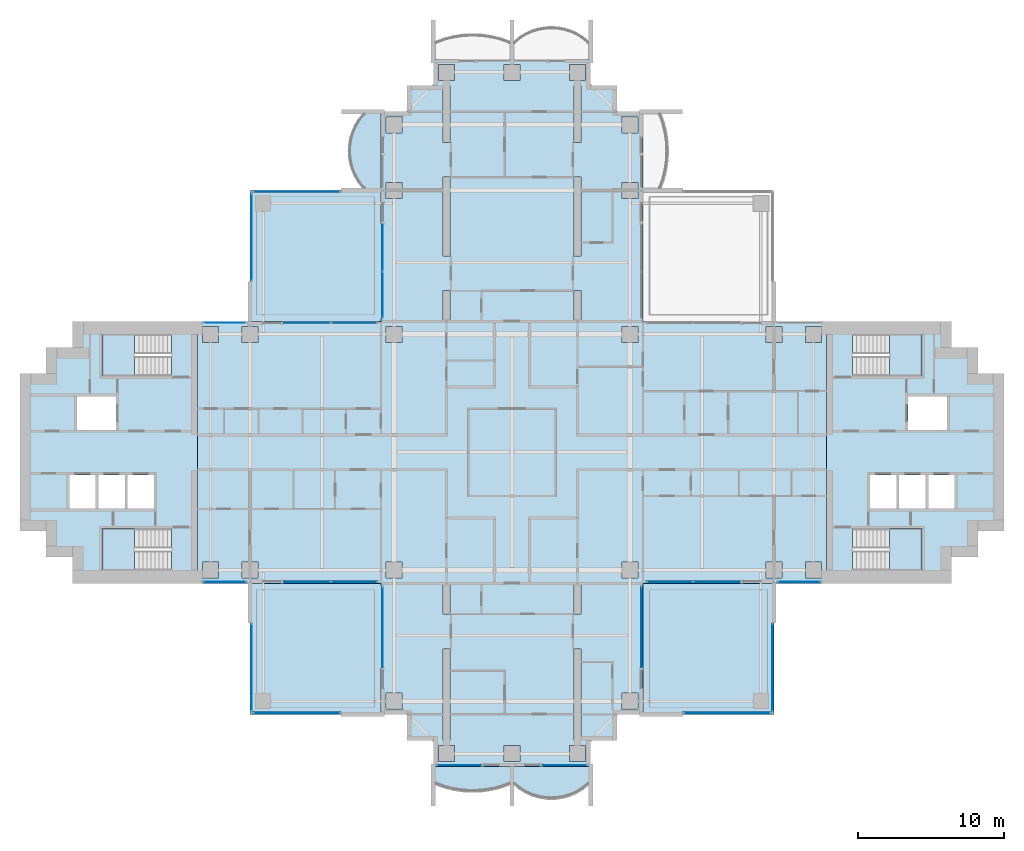
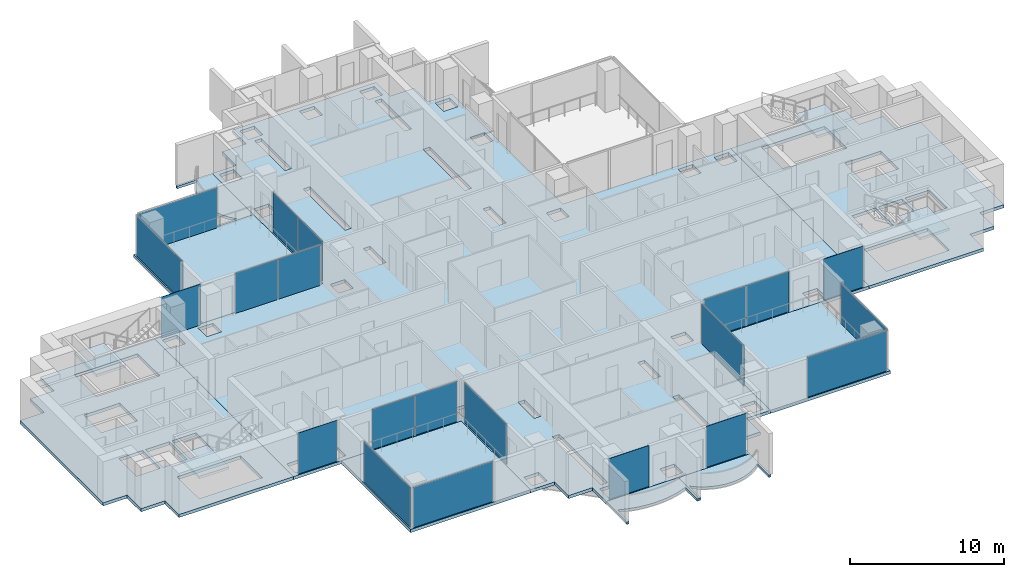
# One storey, part 7 of 18: 21 plates, 13 slabs, 21 elements without a shape of their own.
"""IFC4 building model written with IfcOpenShell, lengths in metres."""

from ifc_helpers import new_model, si_unit, direction, frame, origin, origin_2d, place, context, subcontext, project, spatial, polyline, rectangle, outline, extrude, material, layer, layer_set, type_object, element, aggregate, save


model = new_model("IFC4")

# Units and contexts
model_context = context("Model", 3, precision=1e-05, world=origin(), true_north=direction((0.0, 1.0)))
body_context = subcontext(model_context, "Body", "Model", "MODEL_VIEW")
ifc_project = project(units=[si_unit("LENGTHUNIT", "METRE"), si_unit("AREAUNIT", "SQUARE_METRE"), si_unit("VOLUMEUNIT", "CUBIC_METRE"), si_unit("PLANEANGLEUNIT", "RADIAN"), si_unit("MASSUNIT", "GRAM", prefix="KILO")], contexts=[model_context])

# Site, building, storey
site_placement = place(None, origin())
site = spatial("IfcSite", under=ifc_project, at=site_placement, CompositionType="ELEMENT")
building_placement = place(site_placement, origin())
building = spatial("IfcBuilding", under=site, at=building_placement, Name="Perihelion Cross Residences", CompositionType="ELEMENT")
storey_placement = place(building_placement, frame((0.0, 0.0, 130.39990234375)))
storey = spatial("IfcBuildingStorey", under=building, at=storey_placement, Name="L31", CompositionType="ELEMENT", Elevation=130.39990234375)

# Slabs
ifc_material_1 = material(Name="Concrete C40/50", Category="concrete")
ifc_layer_1 = layer(ifc_material_1, 0.199951171875)
ifc_layer_set_1 = layer_set([ifc_layer_1], Name="Balcony slab 200")
slab_type_1 = type_object("IfcSlabType", Name="Balcony slab 200", PredefinedType="FLOOR", material=ifc_layer_set_1)
slab_1_placement = place(storey_placement, frame((0.0, 0.0, -0.199951171875)))
element("IfcSlab", 1, at=slab_1_placement, inside=storey, type_object=slab_type_1, Name="Slab BK1 L31 north side west bay 1 balcony", PredefinedType="FLOOR", context=body_context, shape_type="SweptSolid", body=[
    extrude(outline(polyline([(-9.0, 23.39990234375), (-9.0, 18.0), (-11.699951171875, 18.0), (-11.699951171875, 18.14990234375), (-10.199951171875, 18.14990234375), (-10.5400390625, 18.574951171875), (-10.792724609375, 19.0), (-10.9765625, 19.425048828125), (-11.1025390625, 19.85009765625), (-11.17578125, 20.27490234375), (-11.199951171875, 20.699951171875), (-11.17578125, 21.125), (-11.1025390625, 21.550048828125), (-10.9765625, 21.97509765625), (-10.792724609375, 22.39990234375), (-10.5400390625, 22.824951171875), (-10.199951171875, 23.25), (-11.699951171875, 23.25), (-11.699951171875, 23.39990234375), (-9.0, 23.39990234375)])), origin(), (0.0, 0.0, 1.0), 0.199951171875),
])
slab_2_placement = place(storey_placement, frame((0.0, 0.0, -0.199951171875)))
element("IfcSlab", 2, at=slab_2_placement, inside=storey, type_object=slab_type_1, Name="Slab BK1 L31 south tip south bay 1 balcony", PredefinedType="FLOOR", context=body_context, shape_type="SweptSolid", body=[
    extrude(outline(polyline([(-5.39990234375, -21.60009765625), (0.0, -21.60009765625), (0.0, -24.300048828125), (-0.14990234375, -24.300048828125), (-0.14990234375, -22.800048828125), (-0.78759765625, -23.0234375), (-1.425048828125, -23.178466796875), (-2.0625, -23.269775390625), (-2.699951171875, -23.300048828125), (-3.33740234375, -23.269775390625), (-3.97509765625, -23.178466796875), (-4.612548828125, -23.0234375), (-5.25, -22.800048828125), (-5.25, -24.300048828125), (-5.39990234375, -24.300048828125), (-5.39990234375, -21.60009765625)])), origin(), (0.0, 0.0, 1.0), 0.199951171875),
])
slab_3_placement = place(storey_placement, frame((0.0, 0.0, -0.199951171875)))
element("IfcSlab", 3, at=slab_3_placement, inside=storey, type_object=slab_type_1, Name="Slab BK1 L31 south tip south bay 2 balcony", PredefinedType="FLOOR", context=body_context, shape_type="SweptSolid", body=[
    extrude(outline(polyline([(0.0, -21.60009765625), (5.39990234375, -21.60009765625), (5.39990234375, -24.300048828125), (5.25, -24.300048828125), (5.25, -22.800048828125), (4.824951171875, -23.14013671875), (4.39990234375, -23.392578125), (3.97509765625, -23.57666015625), (3.550048828125, -23.702392578125), (3.125, -23.77587890625), (2.699951171875, -23.800048828125), (2.27490234375, -23.77587890625), (1.85009765625, -23.702392578125), (1.425048828125, -23.57666015625), (1.0, -23.392578125), (0.574951171875, -23.14013671875), (0.14990234375, -22.800048828125), (0.14990234375, -24.300048828125), (0.0, -24.300048828125), (0.0, -21.60009765625)])), origin(), (0.0, 0.0, 1.0), 0.199951171875),
])

# Curtain wall, plates
ifc_material_2 = material(Name="Bronze anodised aluminium, tinted glazing", Category="aluminium")
curtain_wall_type_1 = type_object("IfcCurtainWallType", Name="CW1", PredefinedType="NOTDEFINED", material=ifc_material_2)
curtain_wall_1_placement = place(storey_placement, origin())
curtain_wall_1 = element("IfcCurtainWall", 4, at=curtain_wall_1_placement, inside=storey, type_object=curtain_wall_type_1, Name="Curtain wall CW1 L31 north side west bay 2", PredefinedType="NOTDEFINED")
ifc_material_3 = material(Name="Tinted laminated glass", Category="glass")
ifc_layer_2 = layer(ifc_material_3, 0.028076171875)
ifc_layer_set_2 = layer_set([ifc_layer_2], Name="CW1 panel")
plate_type_1 = type_object("IfcPlateType", Name="CW1 panel", PredefinedType="CURTAIN_PANEL", material=ifc_layer_set_2)
plate_1_placement = place(storey_placement, frame((-8.89990234375, 14.052490234375, 0.000244140625), z_axis=(0.0, 0.0, 1.0), x_axis=(0.0, -1.0, 0.0)))
plate_1 = element("IfcPlate", 5, at=plate_1_placement, type_object=plate_type_1, Name="CW1 panel 1", PredefinedType="CURTAIN_PANEL", context=body_context, shape_type="SweptSolid", body=[
    extrude(rectangle(XDim=3.195068359375, YDim=0.028076171875, at=origin_2d()), origin(), (0.0, 0.0, 1.0), 3.18994140625),
])
plate_2_placement = place(storey_placement, frame((-8.89990234375, 10.827392578125, 0.000244140625), z_axis=(0.0, 0.0, 1.0), x_axis=(0.0, -1.0, 0.0)))
plate_2 = element("IfcPlate", 6, at=plate_2_placement, type_object=plate_type_1, Name="CW1 panel 2", PredefinedType="CURTAIN_PANEL", context=body_context, shape_type="SweptSolid", body=[
    extrude(rectangle(XDim=3.135009765625, YDim=0.028076171875, at=origin_2d()), origin(), (0.0, 0.0, 1.0), 3.18994140625),
])
aggregate(curtain_wall_1, [plate_1, plate_2])

curtain_wall_2_placement = place(storey_placement, origin())
curtain_wall_2 = element("IfcCurtainWall", 7, at=curtain_wall_2_placement, inside=storey, type_object=curtain_wall_type_1, Name="Curtain wall CW1 L31 west side north bay 1", PredefinedType="NOTDEFINED")
plate_3_placement = place(storey_placement, frame((-10.827392578125, 8.89990234375, 0.000244140625), z_axis=(0.0, 0.0, 1.0), x_axis=(-1.0, 0.0, 0.0)))
plate_3 = element("IfcPlate", 8, at=plate_3_placement, type_object=plate_type_1, Name="CW1 panel 1", PredefinedType="CURTAIN_PANEL", context=body_context, shape_type="SweptSolid", body=[
    extrude(rectangle(XDim=3.135009765625, YDim=0.028076171875, at=origin_2d()), origin(), (0.0, 0.0, 1.0), 3.18994140625),
])
plate_4_placement = place(storey_placement, frame((-14.052490234375, 8.89990234375, 0.000244140625), z_axis=(0.0, 0.0, 1.0), x_axis=(-1.0, 0.0, 0.0)))
plate_4 = element("IfcPlate", 9, at=plate_4_placement, type_object=plate_type_1, Name="CW1 panel 2", PredefinedType="CURTAIN_PANEL", context=body_context, shape_type="SweptSolid", body=[
    extrude(rectangle(XDim=3.195068359375, YDim=0.028076171875, at=origin_2d()), origin(), (0.0, 0.0, 1.0), 3.18994140625),
])
aggregate(curtain_wall_2, [plate_3, plate_4])

# Curtain wall, plate
curtain_wall_3_placement = place(storey_placement, origin())
curtain_wall_3 = element("IfcCurtainWall", 10, at=curtain_wall_3_placement, inside=storey, type_object=curtain_wall_type_1, Name="Curtain wall CW1 L31 west side north bay 2", PredefinedType="NOTDEFINED")
plate_5_placement = place(storey_placement, frame((-19.72509765625, 8.89990234375, 0.0), z_axis=(0.0, 0.0, 1.0), x_axis=(-1.0, 0.0, 0.0)))
plate_5 = element("IfcPlate", 11, at=plate_5_placement, type_object=plate_type_1, Name="CW1 panel 1", PredefinedType="CURTAIN_PANEL", context=body_context, shape_type="SweptSolid", body=[
    extrude(rectangle(XDim=2.929931640625, YDim=0.028076171875, at=origin_2d()), origin(), (0.0, 0.0, 1.0), 3.25),
])
aggregate(curtain_wall_3, [plate_5])

curtain_wall_4_placement = place(storey_placement, origin())
curtain_wall_4 = element("IfcCurtainWall", 12, at=curtain_wall_4_placement, inside=storey, type_object=curtain_wall_type_1, Name="Curtain wall CW1 L31 west side south bay 1", PredefinedType="NOTDEFINED")
plate_6_placement = place(storey_placement, frame((-19.72509765625, -8.89990234375, 0.0), z_axis=(0.0, 0.0, 1.0), x_axis=(1.0, 0.0, 0.0)))
plate_6 = element("IfcPlate", 13, at=plate_6_placement, type_object=plate_type_1, Name="CW1 panel 1", PredefinedType="CURTAIN_PANEL", context=body_context, shape_type="SweptSolid", body=[
    extrude(rectangle(XDim=2.929931640625, YDim=0.028076171875, at=origin_2d()), origin(), (0.0, 0.0, 1.0), 3.25),
])
aggregate(curtain_wall_4, [plate_6])

# Curtain wall, plates
curtain_wall_5_placement = place(storey_placement, origin())
curtain_wall_5 = element("IfcCurtainWall", 14, at=curtain_wall_5_placement, inside=storey, type_object=curtain_wall_type_1, Name="Curtain wall CW1 L31 west side south bay 2", PredefinedType="NOTDEFINED")
plate_7_placement = place(storey_placement, frame((-14.052490234375, -8.89990234375, 0.000244140625), z_axis=(0.0, 0.0, 1.0), x_axis=(1.0, 0.0, 0.0)))
plate_7 = element("IfcPlate", 15, at=plate_7_placement, type_object=plate_type_1, Name="CW1 panel 1", PredefinedType="CURTAIN_PANEL", context=body_context, shape_type="SweptSolid", body=[
    extrude(rectangle(XDim=3.195068359375, YDim=0.028076171875, at=origin_2d()), origin(), (0.0, 0.0, 1.0), 3.18994140625),
])
plate_8_placement = place(storey_placement, frame((-10.827392578125, -8.89990234375, 0.000244140625), z_axis=(0.0, 0.0, 1.0), x_axis=(1.0, 0.0, 0.0)))
plate_8 = element("IfcPlate", 16, at=plate_8_placement, type_object=plate_type_1, Name="CW1 panel 2", PredefinedType="CURTAIN_PANEL", context=body_context, shape_type="SweptSolid", body=[
    extrude(rectangle(XDim=3.135009765625, YDim=0.028076171875, at=origin_2d()), origin(), (0.0, 0.0, 1.0), 3.18994140625),
])
aggregate(curtain_wall_5, [plate_7, plate_8])

# Curtain wall, plate
curtain_wall_6_placement = place(storey_placement, origin())
curtain_wall_6 = element("IfcCurtainWall", 17, at=curtain_wall_6_placement, inside=storey, type_object=curtain_wall_type_1, Name="Curtain wall CW1 L31 south side west bay 1", PredefinedType="NOTDEFINED")
plate_9_placement = place(storey_placement, frame((-8.89990234375, -12.0048828125, 0.000244140625), z_axis=(0.0, 0.0, 1.0), x_axis=(0.0, -1.0, 0.0)))
plate_9 = element("IfcPlate", 18, at=plate_9_placement, type_object=plate_type_1, Name="CW1 panel 1", PredefinedType="CURTAIN_PANEL", context=body_context, shape_type="SweptSolid", body=[
    extrude(rectangle(XDim=5.489990234375, YDim=0.028076171875, at=origin_2d()), origin(), (0.0, 0.0, 1.0), 3.18994140625),
])
aggregate(curtain_wall_6, [plate_9])

curtain_wall_7_placement = place(storey_placement, origin())
curtain_wall_7 = element("IfcCurtainWall", 19, at=curtain_wall_7_placement, inside=storey, type_object=curtain_wall_type_1, Name="Curtain wall CW1 L31 south tip south bay 1", PredefinedType="NOTDEFINED")
plate_10_placement = place(storey_placement, frame((-3.64501953125, -21.5, 0.0), z_axis=(0.0, 0.0, 1.0), x_axis=(1.0, 0.0, 0.0)))
plate_10 = element("IfcPlate", 20, at=plate_10_placement, type_object=plate_type_1, Name="CW1 panel 1", PredefinedType="CURTAIN_PANEL", context=body_context, shape_type="SweptSolid", body=[
    extrude(rectangle(XDim=2.989990234375, YDim=0.028076171875, at=origin_2d()), origin(), (0.0, 0.0, 1.0), 3.25),
])
aggregate(curtain_wall_7, [plate_10])

curtain_wall_8_placement = place(storey_placement, origin())
curtain_wall_8 = element("IfcCurtainWall", 21, at=curtain_wall_8_placement, inside=storey, type_object=curtain_wall_type_1, Name="Curtain wall CW1 L31 south tip south bay 2", PredefinedType="NOTDEFINED")
plate_11_placement = place(storey_placement, frame((3.64501953125, -21.5, 0.0), z_axis=(0.0, 0.0, 1.0), x_axis=(1.0, 0.0, 0.0)))
plate_11 = element("IfcPlate", 22, at=plate_11_placement, type_object=plate_type_1, Name="CW1 panel 1", PredefinedType="CURTAIN_PANEL", context=body_context, shape_type="SweptSolid", body=[
    extrude(rectangle(XDim=2.989990234375, YDim=0.028076171875, at=origin_2d()), origin(), (0.0, 0.0, 1.0), 3.25),
])
aggregate(curtain_wall_8, [plate_11])

curtain_wall_9_placement = place(storey_placement, origin())
curtain_wall_9 = element("IfcCurtainWall", 23, at=curtain_wall_9_placement, inside=storey, type_object=curtain_wall_type_1, Name="Curtain wall CW1 L31 south side east bay 1", PredefinedType="NOTDEFINED")
plate_12_placement = place(storey_placement, frame((8.89990234375, -12.0048828125, 0.000244140625), z_axis=(0.0, 0.0, 1.0), x_axis=(0.0, 1.0, 0.0)))
plate_12 = element("IfcPlate", 24, at=plate_12_placement, type_object=plate_type_1, Name="CW1 panel 1", PredefinedType="CURTAIN_PANEL", context=body_context, shape_type="SweptSolid", body=[
    extrude(rectangle(XDim=5.489990234375, YDim=0.028076171875, at=origin_2d()), origin(), (0.0, 0.0, 1.0), 3.18994140625),
])
aggregate(curtain_wall_9, [plate_12])

# Curtain wall, plates
curtain_wall_10_placement = place(storey_placement, origin())
curtain_wall_10 = element("IfcCurtainWall", 25, at=curtain_wall_10_placement, inside=storey, type_object=curtain_wall_type_1, Name="Curtain wall CW1 L31 east side south bay 1", PredefinedType="NOTDEFINED")
plate_13_placement = place(storey_placement, frame((10.827392578125, -8.89990234375, 0.000244140625), z_axis=(0.0, 0.0, 1.0), x_axis=(1.0, 0.0, 0.0)))
plate_13 = element("IfcPlate", 26, at=plate_13_placement, type_object=plate_type_1, Name="CW1 panel 1", PredefinedType="CURTAIN_PANEL", context=body_context, shape_type="SweptSolid", body=[
    extrude(rectangle(XDim=3.135009765625, YDim=0.028076171875, at=origin_2d()), origin(), (0.0, 0.0, 1.0), 3.18994140625),
])
plate_14_placement = place(storey_placement, frame((14.052490234375, -8.89990234375, 0.000244140625), z_axis=(0.0, 0.0, 1.0), x_axis=(1.0, 0.0, 0.0)))
plate_14 = element("IfcPlate", 27, at=plate_14_placement, type_object=plate_type_1, Name="CW1 panel 2", PredefinedType="CURTAIN_PANEL", context=body_context, shape_type="SweptSolid", body=[
    extrude(rectangle(XDim=3.195068359375, YDim=0.028076171875, at=origin_2d()), origin(), (0.0, 0.0, 1.0), 3.18994140625),
])
aggregate(curtain_wall_10, [plate_13, plate_14])

# Curtain wall, plate
curtain_wall_11_placement = place(storey_placement, origin())
curtain_wall_11 = element("IfcCurtainWall", 28, at=curtain_wall_11_placement, inside=storey, type_object=curtain_wall_type_1, Name="Curtain wall CW1 L31 east side south bay 2", PredefinedType="NOTDEFINED")
plate_15_placement = place(storey_placement, frame((19.72509765625, -8.89990234375, 0.0), z_axis=(0.0, 0.0, 1.0), x_axis=(1.0, 0.0, 0.0)))
plate_15 = element("IfcPlate", 29, at=plate_15_placement, type_object=plate_type_1, Name="CW1 panel 1", PredefinedType="CURTAIN_PANEL", context=body_context, shape_type="SweptSolid", body=[
    extrude(rectangle(XDim=2.929931640625, YDim=0.028076171875, at=origin_2d()), origin(), (0.0, 0.0, 1.0), 3.25),
])
aggregate(curtain_wall_11, [plate_15])

ifc_material_4 = material(Name="Bronze anodised aluminium, tinted glazing", Category="aluminium")
curtain_wall_type_2 = type_object("IfcCurtainWallType", Name="CW4", PredefinedType="NOTDEFINED", material=ifc_material_4)
curtain_wall_12_placement = place(storey_placement, origin())
curtain_wall_12 = element("IfcCurtainWall", 30, at=curtain_wall_12_placement, inside=storey, type_object=curtain_wall_type_2, Name="Curtain wall CW4 L31 pocket north-west 1 1", PredefinedType="NOTDEFINED")
ifc_material_5 = material(Name="Tinted laminated glass", Category="glass")
ifc_layer_3 = layer(ifc_material_5, 0.030029296875)
ifc_layer_set_3 = layer_set([ifc_layer_3], Name="CW4 panel")
plate_type_2 = type_object("IfcPlateType", Name="CW4 panel", PredefinedType="CURTAIN_PANEL", material=ifc_layer_set_3)
plate_16_placement = place(storey_placement, frame((-17.89990234375, 14.784912109375, 0.000244140625), z_axis=(0.0, 0.0, 1.0), x_axis=(0.0, 1.0, 0.0)))
plate_16 = element("IfcPlate", 31, at=plate_16_placement, type_object=plate_type_2, Name="CW4 panel 1", PredefinedType="CURTAIN_PANEL", context=body_context, shape_type="SweptSolid", body=[
    extrude(rectangle(XDim=5.969970703125, YDim=0.030029296875, at=origin_2d()), origin(), (0.0, 0.0, 1.0), 3.18994140625),
])
aggregate(curtain_wall_12, [plate_16])

curtain_wall_13_placement = place(storey_placement, origin())
curtain_wall_13 = element("IfcCurtainWall", 32, at=curtain_wall_13_placement, inside=storey, type_object=curtain_wall_type_2, Name="Curtain wall CW4 L31 pocket north-west 1 2", PredefinedType="NOTDEFINED")
plate_17_placement = place(storey_placement, frame((-14.784912109375, 17.89990234375, 0.000244140625), z_axis=(0.0, 0.0, 1.0), x_axis=(1.0, 0.0, 0.0)))
plate_17 = element("IfcPlate", 33, at=plate_17_placement, type_object=plate_type_2, Name="CW4 panel 1", PredefinedType="CURTAIN_PANEL", context=body_context, shape_type="SweptSolid", body=[
    extrude(rectangle(XDim=5.969970703125, YDim=0.030029296875, at=origin_2d()), origin(), (0.0, 0.0, 1.0), 3.18994140625),
])
aggregate(curtain_wall_13, [plate_17])

curtain_wall_14_placement = place(storey_placement, origin())
curtain_wall_14 = element("IfcCurtainWall", 34, at=curtain_wall_14_placement, inside=storey, type_object=curtain_wall_type_2, Name="Curtain wall CW4 L31 pocket south-east 1 1", PredefinedType="NOTDEFINED")
plate_18_placement = place(storey_placement, frame((17.89990234375, -14.784912109375, 0.000244140625), z_axis=(0.0, 0.0, 1.0), x_axis=(0.0, -1.0, 0.0)))
plate_18 = element("IfcPlate", 35, at=plate_18_placement, type_object=plate_type_2, Name="CW4 panel 1", PredefinedType="CURTAIN_PANEL", context=body_context, shape_type="SweptSolid", body=[
    extrude(rectangle(XDim=5.969970703125, YDim=0.030029296875, at=origin_2d()), origin(), (0.0, 0.0, 1.0), 3.18994140625),
])
aggregate(curtain_wall_14, [plate_18])

curtain_wall_15_placement = place(storey_placement, origin())
curtain_wall_15 = element("IfcCurtainWall", 36, at=curtain_wall_15_placement, inside=storey, type_object=curtain_wall_type_2, Name="Curtain wall CW4 L31 pocket south-east 1 2", PredefinedType="NOTDEFINED")
plate_19_placement = place(storey_placement, frame((14.784912109375, -17.89990234375, 0.000244140625), z_axis=(0.0, 0.0, 1.0), x_axis=(-1.0, 0.0, 0.0)))
plate_19 = element("IfcPlate", 37, at=plate_19_placement, type_object=plate_type_2, Name="CW4 panel 1", PredefinedType="CURTAIN_PANEL", context=body_context, shape_type="SweptSolid", body=[
    extrude(rectangle(XDim=5.969970703125, YDim=0.030029296875, at=origin_2d()), origin(), (0.0, 0.0, 1.0), 3.18994140625),
])
aggregate(curtain_wall_15, [plate_19])

curtain_wall_16_placement = place(storey_placement, origin())
curtain_wall_16 = element("IfcCurtainWall", 38, at=curtain_wall_16_placement, inside=storey, type_object=curtain_wall_type_2, Name="Curtain wall CW4 L31 pocket south-west 1 1", PredefinedType="NOTDEFINED")
plate_20_placement = place(storey_placement, frame((-14.784912109375, -17.89990234375, 0.000244140625), z_axis=(0.0, 0.0, 1.0), x_axis=(-1.0, 0.0, 0.0)))
plate_20 = element("IfcPlate", 39, at=plate_20_placement, type_object=plate_type_2, Name="CW4 panel 1", PredefinedType="CURTAIN_PANEL", context=body_context, shape_type="SweptSolid", body=[
    extrude(rectangle(XDim=5.969970703125, YDim=0.030029296875, at=origin_2d()), origin(), (0.0, 0.0, 1.0), 3.18994140625),
])
aggregate(curtain_wall_16, [plate_20])

curtain_wall_17_placement = place(storey_placement, origin())
curtain_wall_17 = element("IfcCurtainWall", 40, at=curtain_wall_17_placement, inside=storey, type_object=curtain_wall_type_2, Name="Curtain wall CW4 L31 pocket south-west 1 2", PredefinedType="NOTDEFINED")
plate_21_placement = place(storey_placement, frame((-17.89990234375, -14.784912109375, 0.000244140625), z_axis=(0.0, 0.0, 1.0), x_axis=(0.0, 1.0, 0.0)))
plate_21 = element("IfcPlate", 41, at=plate_21_placement, type_object=plate_type_2, Name="CW4 panel 1", PredefinedType="CURTAIN_PANEL", context=body_context, shape_type="SweptSolid", body=[
    extrude(rectangle(XDim=5.969970703125, YDim=0.030029296875, at=origin_2d()), origin(), (0.0, 0.0, 1.0), 3.18994140625),
])
aggregate(curtain_wall_17, [plate_21])

# Slabs
ifc_material_6 = material(Name="Concrete C40/50", Category="concrete")
ifc_layer_4 = layer(ifc_material_6, 0.25)
ifc_layer_set_4 = layer_set([ifc_layer_4], Name="Core floor slab 250")
slab_type_2 = type_object("IfcSlabType", Name="Core floor slab 250", PredefinedType="FLOOR", material=ifc_layer_set_4)
slab_4_placement = place(storey_placement, frame((0.0, 0.0, -0.25)))
element("IfcSlab", 42, at=slab_4_placement, inside=storey, type_object=slab_type_2, Name="East core floor slab", PredefinedType="FLOOR", context=body_context, shape_type="SweptSolid", body=[
    extrude(outline(polyline([(30.199951171875, 7.199951171875), (32.0, 7.199951171875), (32.0, 5.39990234375), (33.800048828125, 5.39990234375), (33.800048828125, -5.39990234375), (32.0, -5.39990234375), (32.0, -7.199951171875), (30.199951171875, -7.199951171875), (30.199951171875, -9.0), (21.60009765625, -9.0), (21.60009765625, 9.0), (30.199951171875, 9.0), (30.199951171875, 7.199951171875)]), holes=[polyline([(28.14990234375, -8.10009765625), (28.14990234375, -5.25), (23.405029296875, -5.25), (23.405029296875, -8.10009765625), (28.14990234375, -8.10009765625)]), polyline([(24.60009765625, -1.550048828125), (24.60009765625, -3.85009765625), (26.39990234375, -3.85009765625), (26.39990234375, -1.550048828125), (24.60009765625, -1.550048828125)]), polyline([(26.60009765625, -1.550048828125), (26.60009765625, -3.85009765625), (28.39990234375, -3.85009765625), (28.39990234375, -1.550048828125), (26.60009765625, -1.550048828125)]), polyline([(28.60009765625, -3.85009765625), (30.39990234375, -3.85009765625), (30.39990234375, -1.550048828125), (28.60009765625, -1.550048828125), (28.60009765625, -3.85009765625)]), polyline([(27.199951171875, 3.85009765625), (27.199951171875, 1.550048828125), (29.89990234375, 1.550048828125), (29.89990234375, 3.85009765625), (27.199951171875, 3.85009765625)]), polyline([(23.405029296875, 5.25), (28.14990234375, 5.25), (28.14990234375, 8.10009765625), (23.405029296875, 8.10009765625), (23.405029296875, 5.25)])]), origin(), (0.0, 0.0, 1.0), 0.25),
])
slab_5_placement = place(storey_placement, frame((0.0, 0.0, -0.25)))
element("IfcSlab", 43, at=slab_5_placement, inside=storey, type_object=slab_type_2, Name="West core floor slab", PredefinedType="FLOOR", context=body_context, shape_type="SweptSolid", body=[
    extrude(outline(polyline([(-30.199951171875, 7.199951171875), (-32.0, 7.199951171875), (-32.0, 5.39990234375), (-33.800048828125, 5.39990234375), (-33.800048828125, -5.39990234375), (-32.0, -5.39990234375), (-32.0, -7.199951171875), (-30.199951171875, -7.199951171875), (-30.199951171875, -9.0), (-21.60009765625, -9.0), (-21.60009765625, 9.0), (-30.199951171875, 9.0), (-30.199951171875, 7.199951171875)]), holes=[polyline([(-28.14990234375, -8.10009765625), (-28.14990234375, -5.25), (-23.405029296875, -5.25), (-23.405029296875, -8.10009765625), (-28.14990234375, -8.10009765625)]), polyline([(-24.60009765625, -1.550048828125), (-24.60009765625, -3.85009765625), (-26.39990234375, -3.85009765625), (-26.39990234375, -1.550048828125), (-24.60009765625, -1.550048828125)]), polyline([(-26.60009765625, -1.550048828125), (-26.60009765625, -3.85009765625), (-28.39990234375, -3.85009765625), (-28.39990234375, -1.550048828125), (-26.60009765625, -1.550048828125)]), polyline([(-28.60009765625, -3.85009765625), (-30.39990234375, -3.85009765625), (-30.39990234375, -1.550048828125), (-28.60009765625, -1.550048828125), (-28.60009765625, -3.85009765625)]), polyline([(-27.199951171875, 3.85009765625), (-27.199951171875, 1.550048828125), (-29.89990234375, 1.550048828125), (-29.89990234375, 3.85009765625), (-27.199951171875, 3.85009765625)]), polyline([(-23.405029296875, 5.25), (-28.14990234375, 5.25), (-28.14990234375, 8.10009765625), (-23.405029296875, 8.10009765625), (-23.405029296875, 5.25)])]), origin(), (0.0, 0.0, 1.0), 0.25),
])

# Stair, slab
ifc_material_7 = material(Name="Concrete C40/50", Category="concrete")
stair_type = type_object("IfcStairType", Name="Exit stair, half-turn", PredefinedType="HALF_TURN_STAIR", material=ifc_material_7)
stair_1_placement = place(storey_placement, origin())
stair_1 = element("IfcStair", 44, at=stair_1_placement, inside=storey, type_object=stair_type, Name="L31 East core exit stair 1", PredefinedType="HALF_TURN_STAIR")
ifc_material_8 = material(Name="Concrete C40/50", Category="concrete")
ifc_layer_5 = layer(ifc_material_8, 0.199951171875)
ifc_layer_set_5 = layer_set([ifc_layer_5], Name="Exit stair landing 200")
slab_type_3 = type_object("IfcSlabType", Name="Exit stair landing 200", PredefinedType="LANDING", material=ifc_layer_set_5)
slab_6_placement = place(storey_placement, frame((0.0, 0.0, 1.550048828125)))
slab_6 = element("IfcSlab", 45, at=slab_6_placement, type_object=slab_type_3, Name="ST-E1 landing 1", PredefinedType="LANDING", context=body_context, shape_type="SweptSolid", body=[
    extrude(outline(polyline([(25.919921875, 5.25), (28.14990234375, 5.25), (28.14990234375, 8.10009765625), (25.919921875, 8.10009765625), (25.919921875, 5.25)])), origin(), (0.0, 0.0, 1.0), 0.199951171875),
])
aggregate(stair_1, [slab_6])

stair_2_placement = place(storey_placement, origin())
stair_2 = element("IfcStair", 46, at=stair_2_placement, inside=storey, type_object=stair_type, Name="L31 East core exit stair 2", PredefinedType="HALF_TURN_STAIR")
slab_7_placement = place(storey_placement, frame((0.0, 0.0, 1.550048828125)))
slab_7 = element("IfcSlab", 47, at=slab_7_placement, type_object=slab_type_3, Name="ST-E2 landing 1", PredefinedType="LANDING", context=body_context, shape_type="SweptSolid", body=[
    extrude(outline(polyline([(25.919921875, -8.10009765625), (28.14990234375, -8.10009765625), (28.14990234375, -5.25), (25.919921875, -5.25), (25.919921875, -8.10009765625)])), origin(), (0.0, 0.0, 1.0), 0.199951171875),
])
aggregate(stair_2, [slab_7])

stair_3_placement = place(storey_placement, origin())
stair_3 = element("IfcStair", 48, at=stair_3_placement, inside=storey, type_object=stair_type, Name="L31 West core exit stair 1", PredefinedType="HALF_TURN_STAIR")
slab_8_placement = place(storey_placement, frame((0.0, 0.0, 1.550048828125)))
slab_8 = element("IfcSlab", 49, at=slab_8_placement, type_object=slab_type_3, Name="ST-W1 landing 1", PredefinedType="LANDING", context=body_context, shape_type="SweptSolid", body=[
    extrude(outline(polyline([(-25.919921875, 8.10009765625), (-28.14990234375, 8.10009765625), (-28.14990234375, 5.25), (-25.919921875, 5.25), (-25.919921875, 8.10009765625)])), origin(), (0.0, 0.0, 1.0), 0.199951171875),
])
aggregate(stair_3, [slab_8])

stair_4_placement = place(storey_placement, origin())
stair_4 = element("IfcStair", 50, at=stair_4_placement, inside=storey, type_object=stair_type, Name="L31 West core exit stair 2", PredefinedType="HALF_TURN_STAIR")
slab_9_placement = place(storey_placement, frame((0.0, 0.0, 1.550048828125)))
slab_9 = element("IfcSlab", 51, at=slab_9_placement, type_object=slab_type_3, Name="ST-W2 landing 1", PredefinedType="LANDING", context=body_context, shape_type="SweptSolid", body=[
    extrude(outline(polyline([(-25.919921875, -5.25), (-28.14990234375, -5.25), (-28.14990234375, -8.10009765625), (-25.919921875, -8.10009765625), (-25.919921875, -5.25)])), origin(), (0.0, 0.0, 1.0), 0.199951171875),
])
aggregate(stair_4, [slab_9])

# Slabs
ifc_material_9 = material(Name="Concrete C50/60", Category="concrete")
ifc_layer_6 = layer(ifc_material_9, 0.25)
ifc_layer_set_6 = layer_set([ifc_layer_6], Name="Residential floor post-tensioned slab concrete C50/60")
slab_type_4 = type_object("IfcSlabType", Name="Residential floor post-tensioned slab concrete C50/60", PredefinedType="FLOOR", material=ifc_layer_set_6)
slab_10_placement = place(storey_placement, frame((0.0, 0.0, -0.25)))
element("IfcSlab", 52, at=slab_10_placement, inside=storey, type_object=slab_type_4, Name="Slab SL8 L31 1 no. 1", PredefinedType="FLOOR", context=body_context, shape_type="SweptSolid", body=[
    extrude(outline(polyline([(-9.0, 9.0), (-9.0, 23.39990234375), (-7.199951171875, 23.39990234375), (-7.199951171875, 25.199951171875), (-5.39990234375, 25.199951171875), (-5.39990234375, 27.0), (5.39990234375, 27.0), (5.39990234375, 25.199951171875), (7.199951171875, 25.199951171875), (7.199951171875, 23.39990234375), (9.0, 23.39990234375), (9.0, 9.0), (21.60009765625, 9.0), (21.60009765625, -9.0), (9.0, -9.0), (9.0, -18.0), (7.199951171875, -18.0), (7.199951171875, -19.800048828125), (5.39990234375, -19.800048828125), (5.39990234375, -21.60009765625), (-5.39990234375, -21.60009765625), (-5.39990234375, -19.800048828125), (-7.199951171875, -19.800048828125), (-7.199951171875, -18.0), (-9.0, -18.0), (-9.0, -9.0), (-21.60009765625, -9.0), (-21.60009765625, 9.0), (-9.0, 9.0)]), holes=[polyline([(0.550048828125, -21.25), (0.550048828125, -20.14990234375), (-0.550048828125, -20.14990234375), (-0.550048828125, -21.25), (0.550048828125, -21.25)]), polyline([(-3.949951171875, -21.25), (-3.949951171875, -20.14990234375), (-5.050048828125, -20.14990234375), (-5.050048828125, -21.25), (-3.949951171875, -21.25)]), polyline([(-7.550048828125, -17.64990234375), (-7.550048828125, -16.550048828125), (-8.64990234375, -16.550048828125), (-8.64990234375, -17.64990234375), (-7.550048828125, -17.64990234375)]), polyline([(-4.25, -19.800048828125), (-4.25, -13.5), (-4.75, -13.5), (-4.75, -19.800048828125), (-4.25, -19.800048828125)]), polyline([(-4.25, -11.10009765625), (-4.25, -9.0), (-4.75, -9.0), (-4.75, -11.10009765625), (-4.25, -11.10009765625)]), polyline([(-20.14990234375, -8.64990234375), (-20.14990234375, -7.550048828125), (-21.25, -7.550048828125), (-21.25, -8.64990234375), (-20.14990234375, -8.64990234375)]), polyline([(-7.550048828125, -8.64990234375), (-7.550048828125, -7.550048828125), (-8.64990234375, -7.550048828125), (-8.64990234375, -8.64990234375), (-7.550048828125, -8.64990234375)]), polyline([(-18.550048828125, -8.64990234375), (-17.449951171875, -8.64990234375), (-17.449951171875, -7.550048828125), (-18.550048828125, -7.550048828125), (-18.550048828125, -8.64990234375)]), polyline([(-7.550048828125, 7.550048828125), (-7.550048828125, 8.64990234375), (-8.64990234375, 8.64990234375), (-8.64990234375, 7.550048828125), (-7.550048828125, 7.550048828125)]), polyline([(-17.449951171875, 7.550048828125), (-17.449951171875, 8.64990234375), (-18.550048828125, 8.64990234375), (-18.550048828125, 7.550048828125), (-17.449951171875, 7.550048828125)]), polyline([(-20.14990234375, 7.550048828125), (-20.14990234375, 8.64990234375), (-21.25, 8.64990234375), (-21.25, 7.550048828125), (-20.14990234375, 7.550048828125)]), polyline([(-4.25, 9.0), (-4.25, 11.10009765625), (-4.75, 11.10009765625), (-4.75, 9.0), (-4.25, 9.0)]), polyline([(-4.25, 13.5), (-4.25, 18.89990234375), (-4.75, 18.89990234375), (-4.75, 13.5), (-4.25, 13.5)]), polyline([(-7.550048828125, 17.449951171875), (-7.550048828125, 18.550048828125), (-8.64990234375, 18.550048828125), (-8.64990234375, 17.449951171875), (-7.550048828125, 17.449951171875)]), polyline([(-7.550048828125, 21.949951171875), (-7.550048828125, 23.050048828125), (-8.64990234375, 23.050048828125), (-8.64990234375, 21.949951171875), (-7.550048828125, 21.949951171875)]), polyline([(-4.75, 21.300048828125), (-4.25, 21.300048828125), (-4.25, 25.199951171875), (-4.75, 25.199951171875), (-4.75, 21.300048828125)]), polyline([(-5.050048828125, 25.550048828125), (-3.949951171875, 25.550048828125), (-3.949951171875, 26.64990234375), (-5.050048828125, 26.64990234375), (-5.050048828125, 25.550048828125)]), polyline([(5.050048828125, -21.25), (5.050048828125, -20.14990234375), (3.949951171875, -20.14990234375), (3.949951171875, -21.25), (5.050048828125, -21.25)]), polyline([(8.64990234375, -17.64990234375), (8.64990234375, -16.550048828125), (7.550048828125, -16.550048828125), (7.550048828125, -17.64990234375), (8.64990234375, -17.64990234375)]), polyline([(4.75, -19.800048828125), (4.75, -13.5), (4.25, -13.5), (4.25, -19.800048828125), (4.75, -19.800048828125)]), polyline([(4.75, -11.10009765625), (4.75, -9.0), (4.25, -9.0), (4.25, -11.10009765625), (4.75, -11.10009765625)]), polyline([(21.25, -8.64990234375), (21.25, -7.550048828125), (20.14990234375, -7.550048828125), (20.14990234375, -8.64990234375), (21.25, -8.64990234375)]), polyline([(18.550048828125, -8.64990234375), (18.550048828125, -7.550048828125), (17.449951171875, -7.550048828125), (17.449951171875, -8.64990234375), (18.550048828125, -8.64990234375)]), polyline([(8.64990234375, -8.64990234375), (8.64990234375, -7.550048828125), (7.550048828125, -7.550048828125), (7.550048828125, -8.64990234375), (8.64990234375, -8.64990234375)]), polyline([(7.550048828125, 7.550048828125), (8.64990234375, 7.550048828125), (8.64990234375, 8.64990234375), (7.550048828125, 8.64990234375), (7.550048828125, 7.550048828125)]), polyline([(18.550048828125, 7.550048828125), (18.550048828125, 8.64990234375), (17.449951171875, 8.64990234375), (17.449951171875, 7.550048828125), (18.550048828125, 7.550048828125)]), polyline([(21.25, 7.550048828125), (21.25, 8.64990234375), (20.14990234375, 8.64990234375), (20.14990234375, 7.550048828125), (21.25, 7.550048828125)]), polyline([(4.75, 9.0), (4.75, 11.10009765625), (4.25, 11.10009765625), (4.25, 9.0), (4.75, 9.0)]), polyline([(4.75, 13.5), (4.75, 18.89990234375), (4.25, 18.89990234375), (4.25, 13.5), (4.75, 13.5)]), polyline([(8.64990234375, 17.449951171875), (8.64990234375, 18.550048828125), (7.550048828125, 18.550048828125), (7.550048828125, 17.449951171875), (8.64990234375, 17.449951171875)]), polyline([(8.64990234375, 21.949951171875), (8.64990234375, 23.050048828125), (7.550048828125, 23.050048828125), (7.550048828125, 21.949951171875), (8.64990234375, 21.949951171875)]), polyline([(4.75, 21.300048828125), (4.75, 25.199951171875), (4.25, 25.199951171875), (4.25, 21.300048828125), (4.75, 21.300048828125)]), polyline([(3.949951171875, 25.550048828125), (5.050048828125, 25.550048828125), (5.050048828125, 26.64990234375), (3.949951171875, 26.64990234375), (3.949951171875, 25.550048828125)]), polyline([(-0.550048828125, 25.550048828125), (0.550048828125, 25.550048828125), (0.550048828125, 26.64990234375), (-0.550048828125, 26.64990234375), (-0.550048828125, 25.550048828125)])]), origin(), (0.0, 0.0, 1.0), 0.25),
])
ifc_material_10 = material(Name="Concrete C40/50", Category="concrete")
ifc_layer_7 = layer(ifc_material_10, 0.25)
ifc_layer_set_7 = layer_set([ifc_layer_7], Name="Winter garden slab")
slab_type_5 = type_object("IfcSlabType", Name="Winter garden slab", PredefinedType="FLOOR", material=ifc_layer_set_7)
slab_11_placement = place(storey_placement, frame((0.0, 0.0, -0.25)))
element("IfcSlab", 53, at=slab_11_placement, inside=storey, type_object=slab_type_5, Name="Slab BK3 L31 pocket north-west", PredefinedType="FLOOR", context=body_context, shape_type="SweptSolid", body=[
    extrude(outline(polyline([(-9.0, 9.0), (-9.0, 18.0), (-18.0, 18.0), (-18.0, 9.0), (-9.0, 9.0)])), origin(), (0.0, 0.0, 1.0), 0.25),
])
slab_12_placement = place(storey_placement, frame((0.0, 0.0, -0.25)))
element("IfcSlab", 54, at=slab_12_placement, inside=storey, type_object=slab_type_5, Name="Slab BK3 L31 pocket south-west", PredefinedType="FLOOR", context=body_context, shape_type="SweptSolid", body=[
    extrude(outline(polyline([(-9.0, -18.0), (-9.0, -9.0), (-18.0, -9.0), (-18.0, -18.0), (-9.0, -18.0)])), origin(), (0.0, 0.0, 1.0), 0.25),
])
slab_13_placement = place(storey_placement, frame((0.0, 0.0, -0.25)))
element("IfcSlab", 55, at=slab_13_placement, inside=storey, type_object=slab_type_5, Name="Slab BK3 L31 pocket south-east", PredefinedType="FLOOR", context=body_context, shape_type="SweptSolid", body=[
    extrude(outline(polyline([(18.0, -18.0), (18.0, -9.0), (9.0, -9.0), (9.0, -18.0), (18.0, -18.0)])), origin(), (0.0, 0.0, 1.0), 0.25),
])

save(model, "model.ifc")
